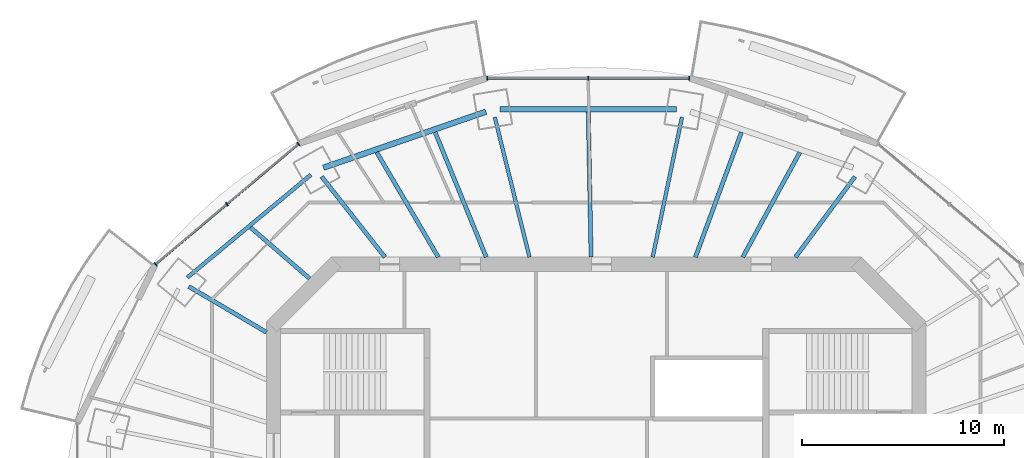
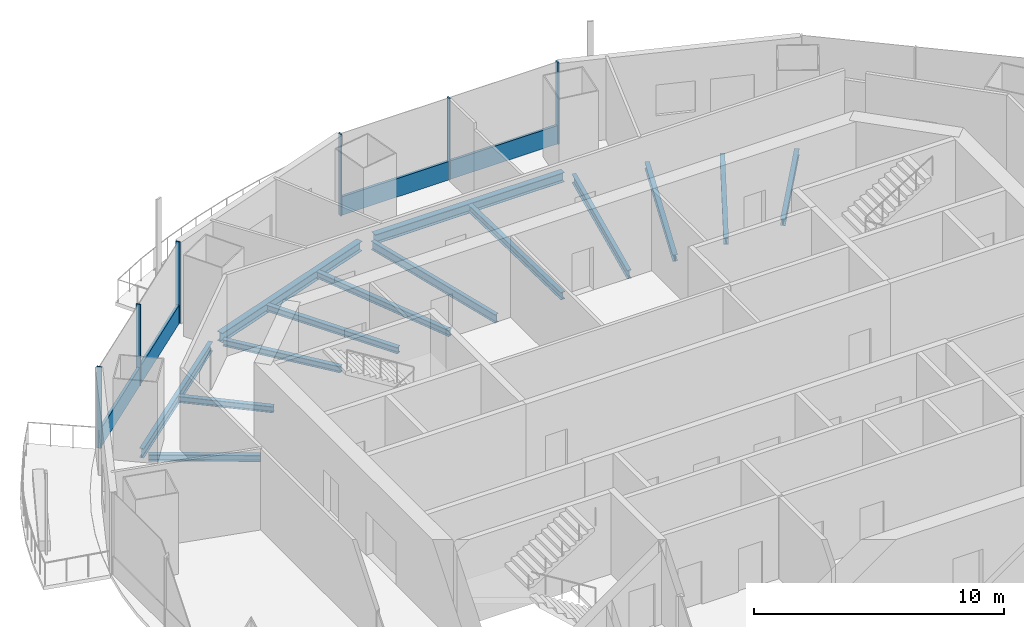
# One storey, part 5 of 16: 14 beams, 8 members, 2 elements without a shape of their own.
"""IFC4 building model written with IfcOpenShell, lengths in metres."""

from ifc_helpers import new_model, si_unit, direction, frame, origin, origin_2d, place, context, subcontext, project, spatial, rectangle, i_section, extrude, material, material_profile, profile_set, type_object, element, aggregate, save


model = new_model("IFC4")

# Units and contexts
model_context = context("Model", 3, precision=1e-05, world=origin(), true_north=direction((0.0, 1.0)))
body_context = subcontext(model_context, "Body", "Model", "MODEL_VIEW")
ifc_project = project(units=[si_unit("LENGTHUNIT", "METRE"), si_unit("AREAUNIT", "SQUARE_METRE"), si_unit("VOLUMEUNIT", "CUBIC_METRE"), si_unit("PLANEANGLEUNIT", "RADIAN"), si_unit("MASSUNIT", "GRAM", prefix="KILO")], contexts=[model_context])

# Site, building, storey
site_placement = place(None, origin())
site = spatial("IfcSite", under=ifc_project, at=site_placement, CompositionType="ELEMENT")
building_placement = place(site_placement, origin())
building = spatial("IfcBuilding", under=site, at=building_placement, Name="Marenthal Gate Tower", CompositionType="ELEMENT")
storey_placement = place(building_placement, frame((0.0, 0.0, 379.949951171875)))
storey = spatial("IfcBuildingStorey", under=building, at=storey_placement, Name="L86", CompositionType="ELEMENT", Elevation=379.949951171875)

# Curtain wall, members
ifc_material_1 = material(Name="Aluminium and glass", Category="aluminium")
curtain_wall_type = type_object("IfcCurtainWallType", Name="Curtain wall typical high", PredefinedType="NOTDEFINED", material=ifc_material_1)
curtain_wall_1_placement = place(storey_placement, origin())
curtain_wall_1 = element("IfcCurtainWall", 1, at=curtain_wall_1_placement, inside=storey, type_object=curtain_wall_type, Name="Curtain wall L86 bay 4", PredefinedType="NOTDEFINED")
ifc_material_2 = material(Name="Aluminium", Category="aluminium")
ifc_material_profile_1 = material_profile(ifc_material_2, rectangle(XDim=0.199951171875, YDim=0.06005859375, at=origin_2d()), Name="60x200 aluminium mullion")
ifc_profile_set_1 = profile_set([ifc_material_profile_1], Name="Aluminium")
member_type_1 = type_object("IfcMemberType", Name="Mullion 60x200 typical high", PredefinedType="MULLION", material=ifc_profile_set_1)
member_1_placement = place(storey_placement, frame((4.607666015625, 22.227294921875, 0.0), z_axis=(0.0, 0.0, 1.0), x_axis=(0.0, -1.0, 0.0)))
member_1 = element("IfcMember", 2, at=member_1_placement, type_object=member_type_1, Name="Mullion L86 bay 4.1", PredefinedType="MULLION", context=body_context, shape_type="SweptSolid", body=[
    extrude(rectangle(XDim=0.199951171875, YDim=0.06005859375, at=origin_2d()), origin(), (0.0, 0.0, 1.0), 3.969970703125),
])
member_2_placement = place(storey_placement, frame((-0.39990234375, 22.227294921875, 0.0), z_axis=(0.0, 0.0, 1.0), x_axis=(0.0, -1.0, 0.0)))
member_2 = element("IfcMember", 3, at=member_2_placement, type_object=member_type_1, Name="Mullion L86 bay 4.2", PredefinedType="MULLION", context=body_context, shape_type="SweptSolid", body=[
    extrude(rectangle(XDim=0.199951171875, YDim=0.06005859375, at=origin_2d()), origin(), (0.0, 0.0, 1.0), 3.969970703125),
])
member_3_placement = place(storey_placement, frame((-5.40771484375, 22.227294921875, 0.0), z_axis=(0.0, 0.0, 1.0), x_axis=(0.0, -1.0, 0.0)))
member_3 = element("IfcMember", 4, at=member_3_placement, type_object=member_type_1, Name="Mullion L86 bay 4.3", PredefinedType="MULLION", context=body_context, shape_type="SweptSolid", body=[
    extrude(rectangle(XDim=0.199951171875, YDim=0.06005859375, at=origin_2d()), origin(), (0.0, 0.0, 1.0), 3.969970703125),
])

curtain_wall_2_placement = place(storey_placement, origin())
curtain_wall_2 = element("IfcCurtainWall", 5, at=curtain_wall_2_placement, inside=storey, type_object=curtain_wall_type, Name="Curtain wall L86 bay 6", PredefinedType="NOTDEFINED")
member_4_placement = place(storey_placement, frame((-14.768798828125, 18.9609375, 0.0), z_axis=(0.0, 0.0, 1.0), x_axis=(0.64413508453, -0.764911754961, 0.0)))
member_4 = element("IfcMember", 6, at=member_4_placement, type_object=member_type_1, Name="Mullion L86 bay 6.1", PredefinedType="MULLION", context=body_context, shape_type="SweptSolid", body=[
    extrude(rectangle(XDim=0.199951171875, YDim=0.06005859375, at=origin_2d()), origin(), (0.0, 0.0, 1.0), 3.969970703125),
])
member_5_placement = place(storey_placement, frame((-18.30810546875, 15.980712890625, 0.0), z_axis=(0.0, 0.0, 1.0), x_axis=(0.64413508453, -0.764911754961, 0.0)))
member_5 = element("IfcMember", 7, at=member_5_placement, type_object=member_type_1, Name="Mullion L86 bay 6.2", PredefinedType="MULLION", context=body_context, shape_type="SweptSolid", body=[
    extrude(rectangle(XDim=0.199951171875, YDim=0.06005859375, at=origin_2d()), origin(), (0.0, 0.0, 1.0), 3.969970703125),
])
member_6_placement = place(storey_placement, frame((-21.84716796875, 13.000244140625, 0.0), z_axis=(0.0, 0.0, 1.0), x_axis=(0.64413508453, -0.764911754961, 0.0)))
member_6 = element("IfcMember", 8, at=member_6_placement, type_object=member_type_1, Name="Mullion L86 bay 6.3", PredefinedType="MULLION", context=body_context, shape_type="SweptSolid", body=[
    extrude(rectangle(XDim=0.199951171875, YDim=0.06005859375, at=origin_2d()), origin(), (0.0, 0.0, 1.0), 3.969970703125),
])

# Member
ifc_material_3 = material(Name="Aluminium", Category="aluminium")
ifc_material_profile_2 = material_profile(ifc_material_3, rectangle(XDim=0.1201171875, YDim=0.89990234375, at=origin_2d()), Name="120x900 aluminium transom")
ifc_profile_set_2 = profile_set([ifc_material_profile_2], Name="Aluminium")
member_type_2 = type_object("IfcMemberType", Name="Transom 120x900 typical high", PredefinedType="USERDEFINED", material=ifc_profile_set_2)
member_7_placement = place(storey_placement, frame((4.57763671875, 22.227294921875, 0.449951171875), z_axis=(-1.0, 0.0, 0.0), x_axis=(0.0, -1.0, 0.0)))
member_7 = element("IfcMember", 9, at=member_7_placement, type_object=member_type_2, Name="Transom L86 bay 4", ObjectType="TRANSOM", PredefinedType="USERDEFINED", context=body_context, shape_type="SweptSolid", body=[
    extrude(rectangle(XDim=0.1201171875, YDim=0.89990234375, at=origin_2d()), origin(), (0.0, 0.0, 1.0), 9.955322265625),
])

aggregate(curtain_wall_1, [member_1, member_2, member_3, member_7])

member_8_placement = place(storey_placement, frame((-14.791748046875, 18.941650390625, 0.449951171875), z_axis=(-0.764909132267, -0.644138198972, 0.0), x_axis=(0.644138198972, -0.764909132267, 0.0)))
member_8 = element("IfcMember", 10, at=member_8_placement, type_object=member_type_2, Name="Transom L86 bay 6", ObjectType="TRANSOM", PredefinedType="USERDEFINED", context=body_context, shape_type="SweptSolid", body=[
    extrude(rectangle(XDim=0.1201171875, YDim=0.89990234375, at=origin_2d()), origin(), (0.0, 0.0, 1.0), 9.19384765625),
])

aggregate(curtain_wall_2, [member_4, member_5, member_6, member_8])

# Beams
ifc_material_4 = material(Name="Steel S355", Category="steel")
ifc_material_profile_3 = material_profile(ifc_material_4, i_section(OverallWidth=0.202880859375, OverallDepth=0.302001953125, WebThickness=0.007568359375, FlangeThickness=0.01318359375, FilletRadius=0.0126953125, at=origin_2d()), Name="W310X60")
ifc_profile_set_3 = profile_set([ifc_material_profile_3], Name="Steel S355")
beam_type_1 = type_object("IfcBeamType", Name="W310X60 beam", PredefinedType="BEAM", material=ifc_profile_set_3)
beam_1_placement = place(storey_placement, frame((10.087646484375, 18.5458984375, -0.3310546875), z_axis=(-0.477822243246, -0.878456546369, 0.0), x_axis=(0.878456546369, -0.477822243246, 0.0)))
element("IfcBeam", 11, at=beam_1_placement, inside=storey, type_object=beam_type_1, Name="BM-L86-20", PredefinedType="BEAM", context=body_context, shape_type="SweptSolid", body=[
    extrude(i_section(OverallWidth=0.202880859375, OverallDepth=0.302001953125, WebThickness=0.007568359375, FlangeThickness=0.01318359375, FilletRadius=0.0126953125, at=origin_2d()), origin(), (0.0, 0.0, 1.0), 5.914794921875),
])
beam_2_placement = place(storey_placement, frame((-17.13916015625, 14.821533203125, -0.3310546875), z_axis=(0.756412035056, -0.654095431281, 0.0), x_axis=(0.654095431281, 0.756412035056, 0.0)))
element("IfcBeam", 12, at=beam_2_placement, inside=storey, type_object=beam_type_1, Name="BM-L86-25", PredefinedType="BEAM", context=body_context, shape_type="SweptSolid", body=[
    extrude(i_section(OverallWidth=0.202880859375, OverallDepth=0.302001953125, WebThickness=0.007568359375, FlangeThickness=0.01318359375, FilletRadius=0.0126953125, at=origin_2d()), origin(), (0.0, 0.0, 1.0), 3.875),
])
ifc_material_5 = material(Name="Steel S355", Category="steel")
ifc_material_profile_4 = material_profile(ifc_material_5, i_section(OverallWidth=0.205078125, OverallDepth=0.31005859375, WebThickness=0.009521484375, FlangeThickness=0.016357421875, FilletRadius=0.0126953125, at=origin_2d()), Name="W310X74")
ifc_profile_set_4 = profile_set([ifc_material_profile_4], Name="Steel S355")
beam_type_2 = type_object("IfcBeamType", Name="W310X74 beam", PredefinedType="BEAM", material=ifc_profile_set_4)
beam_3_placement = place(storey_placement, frame((12.82568359375, 17.3388671875, -0.3349609375), z_axis=(-0.594712000132, -0.80393882659, 0.0), x_axis=(0.80393882659, -0.594712000132, 0.0)))
element("IfcBeam", 13, at=beam_3_placement, inside=storey, type_object=beam_type_2, Name="BM-L86-03", PredefinedType="BEAM", context=body_context, shape_type="SweptSolid", body=[
    extrude(i_section(OverallWidth=0.205078125, OverallDepth=0.31005859375, WebThickness=0.009521484375, FlangeThickness=0.016357421875, FilletRadius=0.0126953125, at=origin_2d()), origin(), (0.0, 0.0, 1.0), 4.96142578125),
])
beam_4_placement = place(storey_placement, frame((-13.614013671875, 17.343017578125, -0.3349609375), z_axis=(0.617483772251, -0.786583619844, 0.0), x_axis=(0.786583619844, 0.617483772251, 0.0)))
element("IfcBeam", 14, at=beam_4_placement, inside=storey, type_object=beam_type_2, Name="BM-L86-06", PredefinedType="BEAM", context=body_context, shape_type="SweptSolid", body=[
    extrude(i_section(OverallWidth=0.205078125, OverallDepth=0.31005859375, WebThickness=0.009521484375, FlangeThickness=0.016357421875, FilletRadius=0.0126953125, at=origin_2d()), origin(), (0.0, 0.0, 1.0), 5.076171875),
])
beam_5_placement = place(storey_placement, frame((-20.20361328125, 11.8955078125, -0.3349609375), z_axis=(0.86171238828, -0.507397043631, 0.0), x_axis=(0.507397043631, 0.86171238828, 0.0)))
element("IfcBeam", 15, at=beam_5_placement, inside=storey, type_object=beam_type_2, Name="BM-L86-07", PredefinedType="BEAM", context=body_context, shape_type="SweptSolid", body=[
    extrude(i_section(OverallWidth=0.205078125, OverallDepth=0.31005859375, WebThickness=0.009521484375, FlangeThickness=0.016357421875, FilletRadius=0.0126953125, at=origin_2d()), origin(), (0.0, 0.0, 1.0), 4.471923828125),
])
beam_6_placement = place(storey_placement, frame((7.194091796875, 19.54296875, -0.3349609375), z_axis=(-0.345465326996, -0.938431514733, 0.0), x_axis=(0.938431514733, -0.345465326996, 0.0)))
element("IfcBeam", 16, at=beam_6_placement, inside=storey, type_object=beam_type_2, Name="BM-L86-21", PredefinedType="BEAM", context=body_context, shape_type="SweptSolid", body=[
    extrude(i_section(OverallWidth=0.205078125, OverallDepth=0.31005859375, WebThickness=0.009521484375, FlangeThickness=0.016357421875, FilletRadius=0.0126953125, at=origin_2d()), origin(), (0.0, 0.0, 1.0), 6.59912109375),
])
beam_7_placement = place(storey_placement, frame((-7.989501953125, 19.544677734375, -0.3349609375), z_axis=(0.378387082032, -0.92564745781, 0.0), x_axis=(0.92564745781, 0.378387082032, 0.0)))
element("IfcBeam", 17, at=beam_7_placement, inside=storey, type_object=beam_type_2, Name="BM-L86-23", PredefinedType="BEAM", context=body_context, shape_type="SweptSolid", body=[
    extrude(i_section(OverallWidth=0.205078125, OverallDepth=0.31005859375, WebThickness=0.009521484375, FlangeThickness=0.016357421875, FilletRadius=0.0126953125, at=origin_2d()), origin(), (0.0, 0.0, 1.0), 6.692138671875),
])
beam_8_placement = place(storey_placement, frame((-10.88330078125, 18.547607421875, -0.3349609375), z_axis=(0.506088552067, -0.862481522971, 0.0), x_axis=(0.862481522971, 0.506088552067, 0.0)))
element("IfcBeam", 18, at=beam_8_placement, inside=storey, type_object=beam_type_2, Name="BM-L86-24", PredefinedType="BEAM", context=body_context, shape_type="SweptSolid", body=[
    extrude(i_section(OverallWidth=0.205078125, OverallDepth=0.31005859375, WebThickness=0.009521484375, FlangeThickness=0.016357421875, FilletRadius=0.0126953125, at=origin_2d()), origin(), (0.0, 0.0, 1.0), 6.026123046875),
])
ifc_material_6 = material(Name="Steel S355", Category="steel")
ifc_material_profile_5 = material_profile(ifc_material_6, i_section(OverallWidth=0.205078125, OverallDepth=0.35302734375, WebThickness=0.009521484375, FlangeThickness=0.016845703125, FilletRadius=0.014892578125, at=origin_2d()), Name="W360X79")
ifc_profile_set_5 = profile_set([ifc_material_profile_5], Name="Steel S355")
beam_type_3 = type_object("IfcBeamType", Name="W360X79 beam", PredefinedType="BEAM", material=ifc_profile_set_5)
beam_9_placement = place(storey_placement, frame((-0.397216796875, 20.5380859375, -0.3564453125), z_axis=(0.019322524597, -0.999813302594, 0.0), x_axis=(0.999813302594, 0.019322524597, 0.0)))
element("IfcBeam", 19, at=beam_9_placement, inside=storey, type_object=beam_type_3, Name="BM-L86-22", PredefinedType="BEAM", context=body_context, shape_type="SweptSolid", body=[
    extrude(i_section(OverallWidth=0.205078125, OverallDepth=0.35302734375, WebThickness=0.009521484375, FlangeThickness=0.016845703125, FilletRadius=0.014892578125, at=origin_2d()), origin(), (0.0, 0.0, 1.0), 7.189208984375),
])
ifc_material_7 = material(Name="Steel S355", Category="steel")
ifc_material_profile_6 = material_profile(ifc_material_7, i_section(OverallWidth=0.180908203125, OverallDepth=0.4169921875, WebThickness=0.010986328125, FlangeThickness=0.018310546875, FilletRadius=0.01025390625, at=origin_2d()), Name="W410X85")
ifc_profile_set_6 = profile_set([ifc_material_profile_6], Name="Steel S355")
beam_type_4 = type_object("IfcBeamType", Name="W410X85 beam", PredefinedType="BEAM", material=ifc_profile_set_6)
beam_10_placement = place(storey_placement, frame((4.247314453125, 20.28515625, -0.388427734375), z_axis=(-0.204947598704, -0.978772947003, 0.0), x_axis=(0.978772947003, -0.204947598704, 0.0)))
element("IfcBeam", 20, at=beam_10_placement, inside=storey, type_object=beam_type_4, Name="BM-L86-04", PredefinedType="BEAM", context=body_context, shape_type="SweptSolid", body=[
    extrude(i_section(OverallWidth=0.180908203125, OverallDepth=0.4169921875, WebThickness=0.010986328125, FlangeThickness=0.018310546875, FilletRadius=0.01025390625, at=origin_2d()), origin(), (0.0, 0.0, 1.0), 7.08544921875),
])
beam_11_placement = place(storey_placement, frame((-5.032470703125, 20.28662109375, -0.388427734375), z_axis=(0.240766886846, -0.970582972341, 0.0), x_axis=(0.970582972341, 0.240766886846, 0.0)))
element("IfcBeam", 21, at=beam_11_placement, inside=storey, type_object=beam_type_4, Name="BM-L86-05", PredefinedType="BEAM", context=body_context, shape_type="SweptSolid", body=[
    extrude(i_section(OverallWidth=0.180908203125, OverallDepth=0.4169921875, WebThickness=0.010986328125, FlangeThickness=0.018310546875, FilletRadius=0.01025390625, at=origin_2d()), origin(), (0.0, 0.0, 1.0), 7.146728515625),
])
ifc_material_8 = material(Name="Steel S355", Category="steel")
ifc_material_profile_7 = material_profile(ifc_material_8, i_section(OverallWidth=0.279052734375, OverallDepth=0.4619140625, WebThickness=0.0107421875, FlangeThickness=0.017333984375, FilletRadius=0.010009765625, at=origin_2d()), Name="W460X113")
ifc_profile_set_7 = profile_set([ifc_material_profile_7], Name="Steel S355")
beam_type_5 = type_object("IfcBeamType", Name="W460X113 beam", PredefinedType="BEAM", material=ifc_profile_set_7)
beam_12_placement = place(storey_placement, frame((3.9677734375, 20.677490234375, -0.410888671875), z_axis=(-1.0, 0.0, 0.0), x_axis=(0.0, -1.0, 0.0)))
element("IfcBeam", 22, at=beam_12_placement, inside=storey, type_object=beam_type_5, Name="BM-L86-42", PredefinedType="BEAM", context=body_context, shape_type="SweptSolid", body=[
    extrude(i_section(OverallWidth=0.279052734375, OverallDepth=0.4619140625, WebThickness=0.0107421875, FlangeThickness=0.017333984375, FilletRadius=0.010009765625, at=origin_2d()), origin(), (0.0, 0.0, 1.0), 8.735595703125),
])
beam_13_placement = place(storey_placement, frame((-5.4716796875, 20.5595703125, -0.410888671875), z_axis=(-0.945453672433, -0.325756585939, 0.0), x_axis=(0.325756585939, -0.945453672433, 0.0)))
element("IfcBeam", 23, at=beam_13_placement, inside=storey, type_object=beam_type_5, Name="BM-L86-43", PredefinedType="BEAM", context=body_context, shape_type="SweptSolid", body=[
    extrude(i_section(OverallWidth=0.279052734375, OverallDepth=0.4619140625, WebThickness=0.0107421875, FlangeThickness=0.017333984375, FilletRadius=0.010009765625, at=origin_2d()), origin(), (0.0, 0.0, 1.0), 8.517578125),
])
ifc_material_9 = material(Name="Steel S355", Category="steel")
ifc_material_profile_8 = material_profile(ifc_material_9, i_section(OverallWidth=0.19091796875, OverallDepth=0.45703125, WebThickness=0.009033203125, FlangeThickness=0.014404296875, FilletRadius=0.01025390625, at=origin_2d()), Name="W460X74")
ifc_profile_set_8 = profile_set([ifc_material_profile_8], Name="Steel S355")
beam_type_6 = type_object("IfcBeamType", Name="W460X74 beam", PredefinedType="BEAM", material=ifc_profile_set_8)
beam_14_placement = place(storey_placement, frame((-14.148681640625, 17.43310546875, -0.408447265625), z_axis=(-0.76879863702, -0.639490934819, 0.0), x_axis=(0.639490934819, -0.76879863702, 0.0)))
element("IfcBeam", 24, at=beam_14_placement, inside=storey, type_object=beam_type_6, Name="BM-L86-44", PredefinedType="BEAM", context=body_context, shape_type="SweptSolid", body=[
    extrude(i_section(OverallWidth=0.19091796875, OverallDepth=0.45703125, WebThickness=0.009033203125, FlangeThickness=0.014404296875, FilletRadius=0.01025390625, at=origin_2d()), origin(), (0.0, 0.0, 1.0), 7.967529296875),
])

save(model, "model.ifc")
